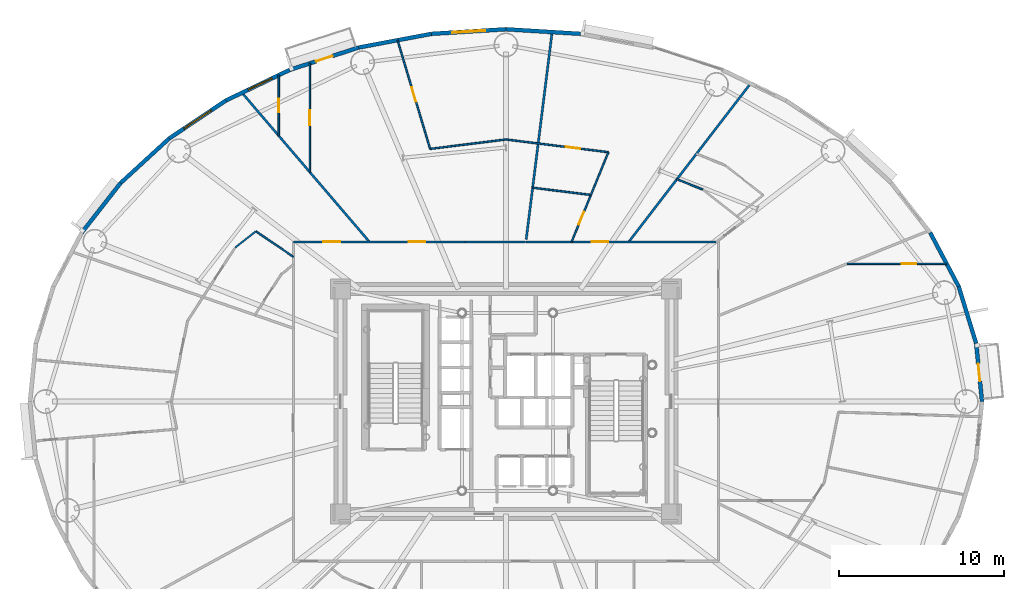
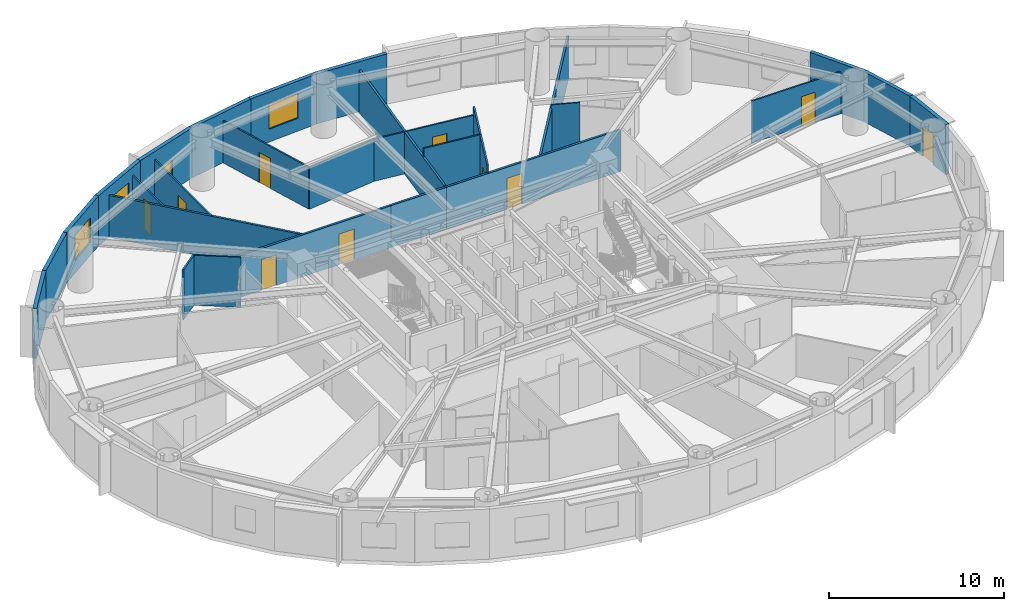
# One storey, part 13 of 21: 28 walls, 11 doors, 3 windows, 14 openings.
"""IFC4 building model written with IfcOpenShell, lengths in metres."""

from ifc_helpers import new_model, si_unit, direction, frame, frame_2d, origin, origin_2d, place, context, subcontext, project, spatial, rectangle, extrude, source, transform, mapped, material, layer, layer_set, type_object, element, fill, save


model = new_model("IFC4")

# Units and contexts
model_context = context("Model", 3, precision=1e-05, world=origin(), true_north=direction((0.0, 1.0)))
body_context = subcontext(model_context, "Body", "Model", "MODEL_VIEW")
ifc_project = project(units=[si_unit("LENGTHUNIT", "METRE"), si_unit("AREAUNIT", "SQUARE_METRE"), si_unit("VOLUMEUNIT", "CUBIC_METRE"), si_unit("PLANEANGLEUNIT", "RADIAN"), si_unit("MASSUNIT", "GRAM", prefix="KILO")], contexts=[model_context])

# Site, building, storey
site_placement = place(None, origin())
site = spatial("IfcSite", under=ifc_project, at=site_placement, CompositionType="ELEMENT")
building_placement = place(site_placement, origin())
building = spatial("IfcBuilding", under=site, at=building_placement, Name="Linh Dai School and Residence Tower", CompositionType="ELEMENT")
storey_placement = place(building_placement, frame((0.0, 0.0, 97.199951171875)))
storey = spatial("IfcBuildingStorey", under=building, at=storey_placement, Name="L22", CompositionType="ELEMENT", Elevation=97.199951171875)

# Wall, opening, door
ifc_material_1 = material(Name="Precast Concrete B45 (C35/45)", Category="concrete")
ifc_layer_1 = layer(ifc_material_1, 0.239990234375)
ifc_layer_set_1 = layer_set([ifc_layer_1], Name="Precast Concrete B45 (C35/45)")
wall_type_1 = type_object("IfcWallType", Name="EW-TC-240", PredefinedType="SOLIDWALL", material=ifc_layer_set_1)
wall_1_placement = place(storey_placement, frame((64.421630859375, 30.515380859375, 0.0), z_axis=(0.0, 0.0, 1.0), x_axis=(0.099989468229, -0.994988495533, 0.0)))
wall_1 = element("IfcWall", 1, at=wall_1_placement, inside=storey, type_object=wall_type_1, Name="L22 Terracotta Exterior Wall 01", PredefinedType="SOLIDWALL", context=body_context, shape_type="SweptSolid", body=[
    extrude(rectangle(XDim=3.533203125, YDim=0.239990234375, at=frame_2d((1.7666015625, 0.0))), origin(), (0.0, 0.0, 1.0), 3.5),
])
opening_1_placement = place(wall_1_placement, frame((1.241455078125, 0.0, 0.0)))
opening_1 = element("IfcOpeningElement", 2, at=opening_1_placement, cuts=wall_1, Name="Opening BD1", PredefinedType="OPENING", context=body_context, shape_type="SweptSolid", body=[
    extrude(rectangle(XDim=1.050048828125, YDim=2.14990234375, at=origin_2d()), frame((0.52490234375, 0.1298828125, 1.074951171875), z_axis=(0.0, -1.0, 0.0), x_axis=(1.0, 0.0, 0.0)), (0.0, 0.0, 1.0), 0.260009765625),
])
ifc_material_2 = material(Name="Double-Glazed Balcony Door", Category="glass")
door_type_1 = type_object("IfcDoorType", Name="DR-BALC-1050x2150", OperationType="NOTDEFINED", PredefinedType="DOOR", material=ifc_material_2)
shared_shape_1 = source(origin(), body_context, "Body", "SweptSolid", [
    extrude(rectangle(XDim=1.050048828125, YDim=2.14990234375, at=origin_2d()), frame((0.52490234375, 0.02490234375, 1.074951171875), z_axis=(0.0, -1.0, 0.0), x_axis=(1.0, 0.0, 0.0)), (0.0, 0.0, 1.0), 0.050048828125),
])
door_1_placement = place(opening_1_placement, origin())
door_1 = element("IfcDoor", 3, at=door_1_placement, inside=storey, type_object=door_type_1, Name="L22 Glazed Balcony Door 01", OperationType="SINGLE_SWING_RIGHT", OverallHeight=2.14990234375, OverallWidth=1.050048828125, PredefinedType="DOOR", context=body_context, shape_type="MappedRepresentation", body=[
    mapped(shared_shape_1, transform((0.0, 0.0, 0.0), x_axis=(1.0, 0.0, 0.0), y_axis=(0.0, 1.0, 0.0), z_axis=(0.0, 0.0, 1.0), scale=1.0)),
])
fill(opening_1, door_1)

# Walls
wall_2_placement = place(storey_placement, frame((63.3701171875, 33.945068359375, 0.0), z_axis=(0.0, 0.0, 1.0), x_axis=(0.293124431344, -0.956074300329, 0.0)))
element("IfcWall", 4, at=wall_2_placement, inside=storey, type_object=wall_type_1, Name="L22 Terracotta Exterior Wall 02", PredefinedType="SOLIDWALL", context=body_context, shape_type="SweptSolid", body=[
    extrude(rectangle(XDim=3.587158203125, YDim=0.239990234375, at=frame_2d((1.79345703125, 0.0))), origin(), (0.0, 0.0, 1.0), 3.5),
])
wall_3_placement = place(storey_placement, frame((61.645263671875, 37.20556640625, 0.0), z_axis=(0.0, 0.0, 1.0), x_axis=(0.467614004126, -0.883932770716, 0.0)))
element("IfcWall", 5, at=wall_3_placement, inside=storey, type_object=wall_type_1, Name="L22 Terracotta Exterior Wall 03", PredefinedType="SOLIDWALL", context=body_context, shape_type="SweptSolid", body=[
    extrude(rectangle(XDim=3.688720703125, YDim=0.239990234375, at=frame_2d((1.84423828125, 0.0))), origin(), (0.0, 0.0, 1.0), 3.5),
])
wall_4_placement = place(storey_placement, frame((36.0, 49.5048828125, 0.0), z_axis=(0.0, 0.0, 1.0), x_axis=(0.998107531589, -0.061492726276, 0.0)))
element("IfcWall", 6, at=wall_4_placement, inside=storey, type_object=wall_type_1, Name="L22 Terracotta Exterior Wall 10", PredefinedType="SOLIDWALL", context=body_context, shape_type="SweptSolid", body=[
    extrude(rectangle(XDim=4.51416015625, YDim=0.239990234375, at=frame_2d((2.257080078125, 0.0))), origin(), (0.0, 0.0, 1.0), 3.5),
])

# Wall, opening, window
wall_5_placement = place(storey_placement, frame((31.494384765625, 49.227294921875, 0.0), z_axis=(0.0, 0.0, 1.0), x_axis=(0.998107531589, 0.061492726276, 0.0)))
wall_5 = element("IfcWall", 7, at=wall_5_placement, inside=storey, type_object=wall_type_1, Name="L22 Terracotta Exterior Wall 11", PredefinedType="SOLIDWALL", context=body_context, shape_type="SweptSolid", body=[
    extrude(rectangle(XDim=4.51416015625, YDim=0.239990234375, at=frame_2d((2.257080078125, 0.0))), origin(), (0.0, 0.0, 1.0), 3.5),
])
opening_2_placement = place(wall_5_placement, frame((1.257080078125, 0.0, 0.89990234375)))
opening_2 = element("IfcOpeningElement", 8, at=opening_2_placement, cuts=wall_5, Name="Opening W1", PredefinedType="OPENING", context=body_context, shape_type="SweptSolid", body=[
    extrude(rectangle(XDim=2.0, YDim=1.75, at=origin_2d()), frame((1.0, 0.1298828125, 0.875), z_axis=(0.0, -1.0, 0.0), x_axis=(1.0, 0.0, 0.0)), (0.0, 0.0, 1.0), 0.260009765625),
])
ifc_material_3 = material(Name="Double Low-E Insulated Glazing", Category="glass")
window_type_1 = type_object("IfcWindowType", Name="WN-RES-2000x1750", PartitioningType="DOUBLE_PANEL_VERTICAL", PredefinedType="WINDOW", material=ifc_material_3)
shared_shape_2 = source(origin(), body_context, "Body", "SweptSolid", [
    extrude(rectangle(XDim=2.0, YDim=1.75, at=origin_2d()), frame((1.0, 0.030029296875, 0.875), z_axis=(0.0, -1.0, 0.0), x_axis=(1.0, 0.0, 0.0)), (0.0, 0.0, 1.0), 0.06005859375),
])
window_1_placement = place(opening_2_placement, origin())
window_1 = element("IfcWindow", 9, at=window_1_placement, inside=storey, type_object=window_type_1, Name="L22 Exterior Window 11.1", OverallHeight=1.75, OverallWidth=2.0, PartitioningType="DOUBLE_PANEL_VERTICAL", PredefinedType="WINDOW", context=body_context, shape_type="MappedRepresentation", body=[
    mapped(shared_shape_2, transform((0.0, 0.0, 0.0), x_axis=(1.0, 0.0, 0.0), y_axis=(0.0, 1.0, 0.0), z_axis=(0.0, 0.0, 1.0), scale=1.0)),
])
fill(opening_2, window_1)

# Wall
wall_6_placement = place(storey_placement, frame((27.100341796875, 48.4013671875, 0.0), z_axis=(0.0, 0.0, 1.0), x_axis=(0.982789252177, 0.184730305596, 0.0)))
element("IfcWall", 10, at=wall_6_placement, inside=storey, type_object=wall_type_1, Name="L22 Terracotta Exterior Wall 12", PredefinedType="SOLIDWALL", context=body_context, shape_type="SweptSolid", body=[
    extrude(rectangle(XDim=4.470947265625, YDim=0.239990234375, at=frame_2d((2.2353515625, 0.0))), origin(), (0.0, 0.0, 1.0), 3.5),
])

# Wall, opening, door
wall_7_placement = place(storey_placement, frame((22.926025390625, 47.04736328125, 0.0), z_axis=(0.0, 0.0, 1.0), x_axis=(0.951211346073, 0.308540070495, 0.0)))
wall_7 = element("IfcWall", 11, at=wall_7_placement, inside=storey, type_object=wall_type_1, Name="L22 Terracotta Exterior Wall 13", PredefinedType="SOLIDWALL", context=body_context, shape_type="SweptSolid", body=[
    extrude(rectangle(XDim=4.388427734375, YDim=0.239990234375, at=frame_2d((2.1943359375, 0.0))), origin(), (0.0, 0.0, 1.0), 3.5),
])
opening_3_placement = place(wall_7_placement, frame((1.669189453125, 0.0, 0.0)))
opening_3 = element("IfcOpeningElement", 12, at=opening_3_placement, cuts=wall_7, Name="Opening BD1", PredefinedType="OPENING", context=body_context, shape_type="SweptSolid", body=[
    extrude(rectangle(XDim=1.050048828125, YDim=2.14990234375, at=origin_2d()), frame((0.52490234375, 0.1298828125, 1.074951171875), z_axis=(0.0, -1.0, 0.0), x_axis=(1.0, 0.0, 0.0)), (0.0, 0.0, 1.0), 0.260009765625),
])
door_2_placement = place(opening_3_placement, origin())
door_2 = element("IfcDoor", 13, at=door_2_placement, inside=storey, type_object=door_type_1, Name="L22 Glazed Balcony Door 13", OperationType="SINGLE_SWING_LEFT", OverallHeight=2.14990234375, OverallWidth=1.050048828125, PredefinedType="DOOR", context=body_context, shape_type="MappedRepresentation", body=[
    mapped(shared_shape_1, transform((0.0, 0.0, 0.0), x_axis=(1.0, 0.0, 0.0), y_axis=(0.0, 1.0, 0.0), z_axis=(0.0, 0.0, 1.0), scale=1.0)),
])
fill(opening_3, door_2)

# Wall, opening, window
wall_8_placement = place(storey_placement, frame((19.07470703125, 45.199462890625, 0.0), z_axis=(0.0, 0.0, 1.0), x_axis=(0.901589935876, 0.432591709962, 0.0)))
wall_8 = element("IfcWall", 14, at=wall_8_placement, inside=storey, type_object=wall_type_1, Name="L22 Terracotta Exterior Wall 14", PredefinedType="SOLIDWALL", context=body_context, shape_type="SweptSolid", body=[
    extrude(rectangle(XDim=4.271728515625, YDim=0.239990234375, at=frame_2d((2.1357421875, 0.0))), origin(), (0.0, 0.0, 1.0), 3.5),
])
opening_4_placement = place(wall_8_placement, frame((1.492919921875, 0.0, 0.89990234375)))
opening_4 = element("IfcOpeningElement", 15, at=opening_4_placement, cuts=wall_8, Name="Opening W2", PredefinedType="OPENING", context=body_context, shape_type="SweptSolid", body=[
    extrude(rectangle(XDim=1.60009765625, YDim=1.75, at=origin_2d()), frame((0.800048828125, 0.1298828125, 0.875), z_axis=(0.0, -1.0, 0.0), x_axis=(1.0, 0.0, 0.0)), (0.0, 0.0, 1.0), 0.260009765625),
])
window_type_2 = type_object("IfcWindowType", Name="WN-RES-1600x1750", PartitioningType="DOUBLE_PANEL_VERTICAL", PredefinedType="WINDOW", material=ifc_material_3)
shared_shape_3 = source(origin(), body_context, "Body", "SweptSolid", [
    extrude(rectangle(XDim=1.60009765625, YDim=1.75, at=origin_2d()), frame((0.800048828125, 0.030029296875, 0.875), z_axis=(0.0, -1.0, 0.0), x_axis=(1.0, 0.0, 0.0)), (0.0, 0.0, 1.0), 0.06005859375),
])
window_2_placement = place(opening_4_placement, origin())
window_2 = element("IfcWindow", 16, at=window_2_placement, inside=storey, type_object=window_type_2, Name="L22 Exterior Window 14.1", OverallHeight=1.75, OverallWidth=1.60009765625, PartitioningType="DOUBLE_PANEL_VERTICAL", PredefinedType="WINDOW", context=body_context, shape_type="MappedRepresentation", body=[
    mapped(shared_shape_3, transform((0.0, 0.0, 0.0), x_axis=(1.0, 0.0, 0.0), y_axis=(0.0, 1.0, 0.0), z_axis=(0.0, 0.0, 1.0), scale=1.0)),
])
fill(opening_4, window_2)

wall_9_placement = place(storey_placement, frame((15.6416015625, 42.9033203125, 0.0), z_axis=(0.0, 0.0, 1.0), x_axis=(0.831221811447, 0.555940914284, 0.0)))
wall_9 = element("IfcWall", 17, at=wall_9_placement, inside=storey, type_object=wall_type_1, Name="L22 Terracotta Exterior Wall 15", PredefinedType="SOLIDWALL", context=body_context, shape_type="SweptSolid", body=[
    extrude(rectangle(XDim=4.130126953125, YDim=0.239990234375, at=frame_2d((2.06494140625, 0.0))), origin(), (0.0, 0.0, 1.0), 3.5),
])
opening_5_placement = place(wall_9_placement, frame((1.065185546875, 0.0, 0.89990234375)))
opening_5 = element("IfcOpeningElement", 18, at=opening_5_placement, cuts=wall_9, Name="Opening W1", PredefinedType="OPENING", context=body_context, shape_type="SweptSolid", body=[
    extrude(rectangle(XDim=2.0, YDim=1.75, at=origin_2d()), frame((1.0, 0.1298828125, 0.875), z_axis=(0.0, -1.0, 0.0), x_axis=(1.0, 0.0, 0.0)), (0.0, 0.0, 1.0), 0.260009765625),
])
window_3_placement = place(opening_5_placement, origin())
window_3 = element("IfcWindow", 19, at=window_3_placement, inside=storey, type_object=window_type_1, Name="L22 Exterior Window 15.1", OverallHeight=1.75, OverallWidth=2.0, PartitioningType="DOUBLE_PANEL_VERTICAL", PredefinedType="WINDOW", context=body_context, shape_type="MappedRepresentation", body=[
    mapped(shared_shape_2, transform((0.0, 0.0, 0.0), x_axis=(1.0, 0.0, 0.0), y_axis=(0.0, 1.0, 0.0), z_axis=(0.0, 0.0, 1.0), scale=1.0)),
])
fill(opening_5, window_3)

# Walls
wall_10_placement = place(storey_placement, frame((12.7109375, 40.216552734375, 0.0), z_axis=(0.0, 0.0, 1.0), x_axis=(0.737113356241, 0.675769117414, 0.0)))
element("IfcWall", 20, at=wall_10_placement, inside=storey, type_object=wall_type_1, Name="L22 Terracotta Exterior Wall 16", PredefinedType="SOLIDWALL", context=body_context, shape_type="SweptSolid", body=[
    extrude(rectangle(XDim=3.975830078125, YDim=0.239990234375, at=frame_2d((1.98779296875, 0.0))), origin(), (0.0, 0.0, 1.0), 3.5),
])
wall_11_placement = place(storey_placement, frame((10.354736328125, 37.20556640625, 0.0), z_axis=(0.0, 0.0, 1.0), x_axis=(0.616272103517, 0.787533297345, 0.0)))
element("IfcWall", 21, at=wall_11_placement, inside=storey, type_object=wall_type_1, Name="L22 Terracotta Exterior Wall 17", PredefinedType="SOLIDWALL", context=body_context, shape_type="SweptSolid", body=[
    extrude(rectangle(XDim=3.8232421875, YDim=0.239990234375, at=frame_2d((1.91162109375, 0.0))), origin(), (0.0, 0.0, 1.0), 3.5),
])
ifc_material_4 = material(Name="Autoclaved Aerated Concrete Blockwork", Category="masonry")
ifc_layer_2 = layer(ifc_material_4, 0.135009765625)
ifc_layer_set_2 = layer_set([ifc_layer_2], Name="Autoclaved Aerated Concrete Blockwork")
wall_type_2 = type_object("IfcWallType", Name="IW-CORR-135-EI90", PredefinedType="PARTITIONING", material=ifc_layer_set_2)
wall_12_placement = place(storey_placement, frame((20.03955078125, 45.66796875, 0.0), z_axis=(0.0, 0.0, 1.0), x_axis=(0.649828321201, -0.760081017369, 0.0)))
element("IfcWall", 22, at=wall_12_placement, inside=storey, type_object=wall_type_2, Name="L22 Interior Partition Wall 011", PredefinedType="PARTITIONING", context=body_context, shape_type="SweptSolid", body=[
    extrude(rectangle(XDim=11.864501953125, YDim=0.135009765625, at=frame_2d((5.93212890625, 0.0))), origin(), (0.0, 0.0, 1.0), 2.93505859375),
])

# Wall, openings, doors
wall_13_placement = place(storey_placement, frame((23.14990234375, 36.64990234375, 0.0), z_axis=(0.0, 0.0, 1.0), x_axis=(1.0, 0.0, 0.0)))
wall_13 = element("IfcWall", 23, at=wall_13_placement, inside=storey, type_object=wall_type_2, Name="L22 Interior Partition Wall 018", PredefinedType="PARTITIONING", context=body_context, shape_type="SweptSolid", body=[
    extrude(rectangle(XDim=10.373046875, YDim=0.135009765625, at=frame_2d((5.1865234375, 0.0))), origin(), (0.0, 0.0, 1.0), 2.93505859375),
])
opening_6_placement = place(wall_13_placement, frame((6.96630859375, 0.0, 0.0)))
opening_6 = element("IfcOpeningElement", 24, at=opening_6_placement, cuts=wall_13, Name="Opening D03", PredefinedType="OPENING", context=body_context, shape_type="SweptSolid", body=[
    extrude(rectangle(XDim=1.0, YDim=2.14990234375, at=origin_2d()), frame((0.5, 0.07763671875, 1.074951171875), z_axis=(0.0, -1.0, 0.0), x_axis=(1.0, 0.0, 0.0)), (0.0, 0.0, 1.0), 0.155029296875),
])
opening_7_placement = place(wall_13_placement, frame((1.81982421875, 0.0, 0.0)))
opening_7 = element("IfcOpeningElement", 25, at=opening_7_placement, cuts=wall_13, Name="Opening D03", PredefinedType="OPENING", context=body_context, shape_type="SweptSolid", body=[
    extrude(rectangle(XDim=1.0, YDim=2.14990234375, at=origin_2d()), frame((0.5, 0.07763671875, 1.074951171875), z_axis=(0.0, -1.0, 0.0), x_axis=(1.0, 0.0, 0.0)), (0.0, 0.0, 1.0), 0.155029296875),
])
ifc_material_5 = material(Name="Fire-Rated Solid Timber Entrance Door", Category="wood")
door_type_2 = type_object("IfcDoorType", Name="DR-FLAT-1000x2150-FD60S", OperationType="NOTDEFINED", PredefinedType="DOOR", material=ifc_material_5)
shared_shape_4 = source(origin(), body_context, "Body", "SweptSolid", [
    extrude(rectangle(XDim=1.0, YDim=2.14990234375, at=origin_2d()), frame((0.5, 0.02490234375, 1.074951171875), z_axis=(0.0, -1.0, 0.0), x_axis=(1.0, 0.0, 0.0)), (0.0, 0.0, 1.0), 0.050048828125),
])
door_3_placement = place(opening_6_placement, origin())
door_3 = element("IfcDoor", 26, at=door_3_placement, inside=storey, type_object=door_type_2, Name="L22 U2203 Apartment Entrance Door", OperationType="SINGLE_SWING_LEFT", OverallHeight=2.14990234375, OverallWidth=1.0, PredefinedType="DOOR", context=body_context, shape_type="MappedRepresentation", body=[
    mapped(shared_shape_4, transform((0.0, 0.0, 0.0), x_axis=(1.0, 0.0, 0.0), y_axis=(0.0, 1.0, 0.0), z_axis=(0.0, 0.0, 1.0), scale=1.0)),
])
fill(opening_6, door_3)
door_4_placement = place(opening_7_placement, origin())
door_4 = element("IfcDoor", 27, at=door_4_placement, inside=storey, type_object=door_type_2, Name="L22 U2204 Apartment Entrance Door", OperationType="SINGLE_SWING_LEFT", OverallHeight=2.14990234375, OverallWidth=1.0, PredefinedType="DOOR", context=body_context, shape_type="MappedRepresentation", body=[
    mapped(shared_shape_4, transform((0.0, 0.0, 0.0), x_axis=(1.0, 0.0, 0.0), y_axis=(0.0, 1.0, 0.0), z_axis=(0.0, 0.0, 1.0), scale=1.0)),
])
fill(opening_7, door_4)

# Wall, opening, door
wall_14_placement = place(storey_placement, frame((37.205078125, 36.64990234375, 0.0), z_axis=(0.0, 0.0, 1.0), x_axis=(1.0, 0.0, 0.0)))
wall_14 = element("IfcWall", 28, at=wall_14_placement, inside=storey, type_object=wall_type_2, Name="L22 Interior Partition Wall 058", PredefinedType="PARTITIONING", context=body_context, shape_type="SweptSolid", body=[
    extrude(rectangle(XDim=11.498779296875, YDim=0.135009765625, at=frame_2d((5.74951171875, 0.0))), origin(), (0.0, 0.0, 1.0), 2.93505859375),
])
opening_8_placement = place(wall_14_placement, frame((3.98779296875, 0.0, 0.0)))
opening_8 = element("IfcOpeningElement", 29, at=opening_8_placement, cuts=wall_14, Name="Opening D03", PredefinedType="OPENING", context=body_context, shape_type="SweptSolid", body=[
    extrude(rectangle(XDim=1.0, YDim=2.14990234375, at=origin_2d()), frame((0.5, 0.07763671875, 1.074951171875), z_axis=(0.0, -1.0, 0.0), x_axis=(1.0, 0.0, 0.0)), (0.0, 0.0, 1.0), 0.155029296875),
])
door_5_placement = place(opening_8_placement, origin())
door_5 = element("IfcDoor", 30, at=door_5_placement, inside=storey, type_object=door_type_2, Name="L22 U2202 Apartment Entrance Door", OperationType="SINGLE_SWING_RIGHT", OverallHeight=2.14990234375, OverallWidth=1.0, PredefinedType="DOOR", context=body_context, shape_type="MappedRepresentation", body=[
    mapped(shared_shape_4, transform((0.0, 0.0, 0.0), x_axis=(1.0, 0.0, 0.0), y_axis=(0.0, 1.0, 0.0), z_axis=(0.0, 0.0, 1.0), scale=1.0)),
])
fill(opening_8, door_5)

# Walls
wall_15_placement = place(storey_placement, frame((37.224365234375, 36.805419921875, 0.0), z_axis=(0.0, 0.0, 1.0), x_axis=(0.123906262398, 0.992293927291, 0.0)))
element("IfcWall", 31, at=wall_15_placement, inside=storey, type_object=wall_type_2, Name="L22 Interior Partition Wall 059", PredefinedType="PARTITIONING", context=body_context, shape_type="SweptSolid", body=[
    extrude(rectangle(XDim=12.630126953125, YDim=0.135009765625, at=frame_2d((6.31494140625, 0.0))), origin(), (0.0, 0.0, 1.0), 2.93505859375),
])
wall_16_placement = place(storey_placement, frame((43.42041015625, 36.64990234375, 0.0), z_axis=(0.0, 0.0, 1.0), x_axis=(0.609572126114, 0.792730611913, 0.0)))
element("IfcWall", 32, at=wall_16_placement, inside=storey, type_object=wall_type_2, Name="L22 Interior Partition Wall 077", PredefinedType="PARTITIONING", context=body_context, shape_type="SweptSolid", body=[
    extrude(rectangle(XDim=12.0859375, YDim=0.135009765625, at=frame_2d((6.04296875, 0.0))), origin(), (0.0, 0.0, 1.0), 2.93505859375),
])
wall_17_placement = place(storey_placement, frame((33.532958984375, 36.64990234375, 0.0), z_axis=(0.0, 0.0, 1.0), x_axis=(1.0, 0.0, 0.0)))
element("IfcWall", 33, at=wall_17_placement, inside=storey, type_object=wall_type_2, Name="L22 Interior Partition Wall 107", PredefinedType="PARTITIONING", context=body_context, shape_type="SweptSolid", body=[
    extrude(rectangle(XDim=3.662109375, YDim=0.135009765625, at=frame_2d((1.8310546875, 0.0))), origin(), (0.0, 0.0, 1.0), 2.93505859375),
])
ifc_material_6 = material(Name="Gypsum Plasterboard Acoustic Stud Partition", Category="masonry")
ifc_layer_3 = layer(ifc_material_6, 0.10009765625)
ifc_layer_set_3 = layer_set([ifc_layer_3], Name="Gypsum Plasterboard Acoustic Stud Partition")
wall_type_3 = type_object("IfcWallType", Name="IW-UNIT-100", PredefinedType="PARTITIONING", material=ifc_layer_set_3)
wall_18_placement = place(storey_placement, frame((19.633544921875, 36.31103515625, 0.0), z_axis=(0.0, 0.0, 1.0), x_axis=(0.787313775385, 0.616552527437, 0.0)))
element("IfcWall", 34, at=wall_18_placement, inside=storey, type_object=wall_type_3, Name="L22 Interior Partition Wall 010", PredefinedType="PARTITIONING", context=body_context, shape_type="SweptSolid", body=[
    extrude(rectangle(XDim=1.58984375, YDim=0.10009765625, at=frame_2d((0.794921875, 0.0))), origin(), (0.0, 0.0, 1.0), 3.5),
])
wall_19_placement = place(storey_placement, frame((20.88525390625, 37.291259765625, 0.0), z_axis=(0.0, 0.0, 1.0), x_axis=(0.826581607155, -0.562816885596, 0.0)))
element("IfcWall", 35, at=wall_19_placement, inside=storey, type_object=wall_type_3, Name="L22 Interior Partition Wall 013", PredefinedType="PARTITIONING", context=body_context, shape_type="SweptSolid", body=[
    extrude(rectangle(XDim=2.73974609375, YDim=0.10009765625, at=frame_2d((1.369873046875, 0.0))), origin(), (0.0, 0.0, 1.0), 3.5),
])

# Wall, opening, door
wall_20_placement = place(storey_placement, frame((22.265380859375, 43.064453125, 0.0), z_axis=(0.0, 0.0, 1.0), x_axis=(0.0, 1.0, 0.0)))
wall_20 = element("IfcWall", 36, at=wall_20_placement, inside=storey, type_object=wall_type_3, Name="L22 Interior Partition Wall 014", PredefinedType="PARTITIONING", context=body_context, shape_type="SweptSolid", body=[
    extrude(rectangle(XDim=3.67138671875, YDim=0.10009765625, at=frame_2d((1.835693359375, 0.0))), origin(), (0.0, 0.0, 1.0), 2.93505859375),
])
opening_9_placement = place(wall_20_placement, frame((1.42578125, 0.0, 0.0)))
opening_9 = element("IfcOpeningElement", 37, at=opening_9_placement, cuts=wall_20, Name="Opening D06", PredefinedType="OPENING", context=body_context, shape_type="SweptSolid", body=[
    extrude(rectangle(XDim=0.820068359375, YDim=2.10009765625, at=origin_2d()), frame((0.41015625, 0.06005859375, 1.050048828125), z_axis=(0.0, -1.0, 0.0), x_axis=(1.0, 0.0, 0.0)), (0.0, 0.0, 1.0), 0.1201171875),
])
ifc_material_7 = material(Name="Moisture-Resistant Timber Bathroom Door", Category="wood")
door_type_3 = type_object("IfcDoorType", Name="DR-WET-820x2100", OperationType="NOTDEFINED", PredefinedType="DOOR", material=ifc_material_7)
shared_shape_5 = source(origin(), body_context, "Body", "SweptSolid", [
    extrude(rectangle(XDim=0.820068359375, YDim=2.10009765625, at=origin_2d()), frame((0.41015625, 0.02490234375, 1.050048828125), z_axis=(0.0, -1.0, 0.0), x_axis=(1.0, 0.0, 0.0)), (0.0, 0.0, 1.0), 0.050048828125),
])
door_6_placement = place(opening_9_placement, origin())
door_6 = element("IfcDoor", 38, at=door_6_placement, inside=storey, type_object=door_type_3, Name="L22 Apartment U2203 Bathroom 1 Door", OperationType="SINGLE_SWING_RIGHT", OverallHeight=2.10009765625, OverallWidth=0.820068359375, PredefinedType="DOOR", context=body_context, shape_type="MappedRepresentation", body=[
    mapped(shared_shape_5, transform((0.0, 0.0, 0.0), x_axis=(1.0, 0.0, 0.0), y_axis=(0.0, 1.0, 0.0), z_axis=(0.0, 0.0, 1.0), scale=1.0)),
])
fill(opening_9, door_6)

wall_21_placement = place(storey_placement, frame((24.147216796875, 40.863525390625, 0.0), z_axis=(0.0, 0.0, 1.0), x_axis=(0.0, 1.0, 0.0)))
wall_21 = element("IfcWall", 39, at=wall_21_placement, inside=storey, type_object=wall_type_3, Name="L22 Interior Partition Wall 023", PredefinedType="PARTITIONING", context=body_context, shape_type="SweptSolid", body=[
    extrude(rectangle(XDim=6.585205078125, YDim=0.10009765625, at=frame_2d((3.29248046875, 0.0))), origin(), (0.0, 0.0, 1.0), 2.93505859375),
])
opening_10_placement = place(wall_21_placement, frame((2.8427734375, 0.0, 0.0)))
opening_10 = element("IfcOpeningElement", 40, at=opening_10_placement, cuts=wall_21, Name="Opening D05", PredefinedType="OPENING", context=body_context, shape_type="SweptSolid", body=[
    extrude(rectangle(XDim=0.89990234375, YDim=2.10009765625, at=origin_2d()), frame((0.449951171875, 0.06005859375, 1.050048828125), z_axis=(0.0, -1.0, 0.0), x_axis=(1.0, 0.0, 0.0)), (0.0, 0.0, 1.0), 0.1201171875),
])
ifc_material_8 = material(Name="Engineered Timber Internal Door", Category="wood")
door_type_4 = type_object("IfcDoorType", Name="DR-INT-900x2100", OperationType="NOTDEFINED", PredefinedType="DOOR", material=ifc_material_8)
shared_shape_6 = source(origin(), body_context, "Body", "SweptSolid", [
    extrude(rectangle(XDim=0.89990234375, YDim=2.10009765625, at=origin_2d()), frame((0.449951171875, 0.02490234375, 1.050048828125), z_axis=(0.0, -1.0, 0.0), x_axis=(1.0, 0.0, 0.0)), (0.0, 0.0, 1.0), 0.050048828125),
])
door_7_placement = place(opening_10_placement, origin())
door_7 = element("IfcDoor", 41, at=door_7_placement, inside=storey, type_object=door_type_4, Name="L22 Apartment U2203 Kitchen Door", OperationType="SINGLE_SWING_LEFT", OverallHeight=2.10009765625, OverallWidth=0.89990234375, PredefinedType="DOOR", context=body_context, shape_type="MappedRepresentation", body=[
    mapped(shared_shape_6, transform((0.0, 0.0, 0.0), x_axis=(1.0, 0.0, 0.0), y_axis=(0.0, 1.0, 0.0), z_axis=(0.0, 0.0, 1.0), scale=1.0)),
])
fill(opening_10, door_7)

wall_22_placement = place(storey_placement, frame((29.443115234375, 48.8466796875, 0.0), z_axis=(0.0, 0.0, 1.0), x_axis=(0.287465357653, -0.957791035743, 0.0)))
wall_22 = element("IfcWall", 42, at=wall_22_placement, inside=storey, type_object=wall_type_3, Name="L22 Interior Partition Wall 028", PredefinedType="PARTITIONING", context=body_context, shape_type="SweptSolid", body=[
    extrude(rectangle(XDim=6.864013671875, YDim=0.10009765625, at=frame_2d((3.43212890625, 0.0))), origin(), (0.0, 0.0, 1.0), 2.93505859375),
])
opening_11_placement = place(wall_22_placement, frame((2.98193359375, 0.0, 0.0)))
opening_11 = element("IfcOpeningElement", 43, at=opening_11_placement, cuts=wall_22, Name="Opening D05", PredefinedType="OPENING", context=body_context, shape_type="SweptSolid", body=[
    extrude(rectangle(XDim=0.89990234375, YDim=2.10009765625, at=origin_2d()), frame((0.449951171875, 0.06005859375, 1.050048828125), z_axis=(0.0, -1.0, 0.0), x_axis=(1.0, 0.0, 0.0)), (0.0, 0.0, 1.0), 0.1201171875),
])
door_8_placement = place(opening_11_placement, origin())
door_8 = element("IfcDoor", 44, at=door_8_placement, inside=storey, type_object=door_type_4, Name="L22 Apartment U2203 Principal Bedroom 1 Door", OperationType="SINGLE_SWING_RIGHT", OverallHeight=2.10009765625, OverallWidth=0.89990234375, PredefinedType="DOOR", context=body_context, shape_type="MappedRepresentation", body=[
    mapped(shared_shape_6, transform((0.0, 0.0, 0.0), x_axis=(1.0, 0.0, 0.0), y_axis=(0.0, 1.0, 0.0), z_axis=(0.0, 0.0, 1.0), scale=1.0)),
])
fill(opening_11, door_8)

# Wall
wall_23_placement = place(storey_placement, frame((31.416259765625, 42.2724609375, 0.0), z_axis=(0.0, 0.0, 1.0), x_axis=(0.992393726446, 0.12310439355, 0.0)))
element("IfcWall", 45, at=wall_23_placement, inside=storey, type_object=wall_type_3, Name="L22 Interior Partition Wall 032", PredefinedType="PARTITIONING", context=body_context, shape_type="SweptSolid", body=[
    extrude(rectangle(XDim=4.618896484375, YDim=0.10009765625, at=frame_2d((2.3095703125, 0.0))), origin(), (0.0, 0.0, 1.0), 2.93505859375),
])

# Wall, opening, door
wall_24_placement = place(storey_placement, frame((36.0, 42.841064453125, 0.0), z_axis=(0.0, 0.0, 1.0), x_axis=(0.992393593066, -0.123105468776, 0.0)))
wall_24 = element("IfcWall", 46, at=wall_24_placement, inside=storey, type_object=wall_type_3, Name="L22 Interior Partition Wall 055", PredefinedType="PARTITIONING", context=body_context, shape_type="SweptSolid", body=[
    extrude(rectangle(XDim=6.240966796875, YDim=0.10009765625, at=frame_2d((3.12060546875, 0.0))), origin(), (0.0, 0.0, 1.0), 2.93505859375),
])
opening_12_placement = place(wall_24_placement, frame((3.6318359375, 0.0, 0.0)))
opening_12 = element("IfcOpeningElement", 47, at=opening_12_placement, cuts=wall_24, Name="Opening D05", PredefinedType="OPENING", context=body_context, shape_type="SweptSolid", body=[
    extrude(rectangle(XDim=0.89990234375, YDim=2.10009765625, at=origin_2d()), frame((0.449951171875, 0.06005859375, 1.050048828125), z_axis=(0.0, -1.0, 0.0), x_axis=(1.0, 0.0, 0.0)), (0.0, 0.0, 1.0), 0.1201171875),
])
door_9_placement = place(opening_12_placement, origin())
door_9 = element("IfcDoor", 48, at=door_9_placement, inside=storey, type_object=door_type_4, Name="L22 Apartment U2202 Kitchen Door", OperationType="SINGLE_SWING_RIGHT", OverallHeight=2.10009765625, OverallWidth=0.89990234375, PredefinedType="DOOR", context=body_context, shape_type="MappedRepresentation", body=[
    mapped(shared_shape_6, transform((0.0, 0.0, 0.0), x_axis=(1.0, 0.0, 0.0), y_axis=(0.0, 1.0, 0.0), z_axis=(0.0, 0.0, 1.0), scale=1.0)),
])
fill(opening_12, door_9)

# Wall
wall_25_placement = place(storey_placement, frame((37.614013671875, 39.92529296875, 0.0), z_axis=(0.0, 0.0, 1.0), x_axis=(0.992397148182, -0.123076806427, 0.0)))
element("IfcWall", 49, at=wall_25_placement, inside=storey, type_object=wall_type_3, Name="L22 Interior Partition Wall 060", PredefinedType="PARTITIONING", context=body_context, shape_type="SweptSolid", body=[
    extrude(rectangle(XDim=3.544677734375, YDim=0.10009765625, at=frame_2d((1.7724609375, 0.0))), origin(), (0.0, 0.0, 1.0), 3.5),
])

# Wall, opening, door
wall_26_placement = place(storey_placement, frame((39.96533203125, 36.64990234375, 0.0), z_axis=(0.0, 0.0, 1.0), x_axis=(0.380069011115, 0.924958132452, 0.0)))
wall_26 = element("IfcWall", 50, at=wall_26_placement, inside=storey, type_object=wall_type_3, Name="L22 Interior Partition Wall 068", PredefinedType="PARTITIONING", context=body_context, shape_type="SweptSolid", body=[
    extrude(rectangle(XDim=5.86279296875, YDim=0.10009765625, at=frame_2d((2.931396484375, 0.0))), origin(), (0.0, 0.0, 1.0), 3.5),
])
opening_13_placement = place(wall_26_placement, frame((1.14453125, 0.0, 0.0)))
opening_13 = element("IfcOpeningElement", 51, at=opening_13_placement, cuts=wall_26, Name="Opening D06", PredefinedType="OPENING", context=body_context, shape_type="SweptSolid", body=[
    extrude(rectangle(XDim=0.820068359375, YDim=2.10009765625, at=origin_2d()), frame((0.41015625, 0.06005859375, 1.050048828125), z_axis=(0.0, -1.0, 0.0), x_axis=(1.0, 0.0, 0.0)), (0.0, 0.0, 1.0), 0.1201171875),
])
door_10_placement = place(opening_13_placement, origin())
door_10 = element("IfcDoor", 52, at=door_10_placement, inside=storey, type_object=door_type_3, Name="L22 Apartment U2202 Bathroom Door", OperationType="SINGLE_SWING_LEFT", OverallHeight=2.10009765625, OverallWidth=0.820068359375, PredefinedType="DOOR", context=body_context, shape_type="MappedRepresentation", body=[
    mapped(shared_shape_5, transform((0.0, 0.0, 0.0), x_axis=(1.0, 0.0, 0.0), y_axis=(0.0, 1.0, 0.0), z_axis=(0.0, 0.0, 1.0), scale=1.0)),
])
fill(opening_13, door_10)

# Wall
wall_27_placement = place(storey_placement, frame((46.332763671875, 40.437255859375, 0.0), z_axis=(0.0, 0.0, 1.0), x_axis=(0.928817558248, -0.370537371247, 0.0)))
element("IfcWall", 53, at=wall_27_placement, inside=storey, type_object=wall_type_3, Name="L22 Interior Partition Wall 080", PredefinedType="PARTITIONING", context=body_context, shape_type="SweptSolid", body=[
    extrude(rectangle(XDim=1.677490234375, YDim=0.10009765625, at=frame_2d((0.8388671875, 0.0))), origin(), (0.0, 0.0, 1.0), 3.18505859375),
])

# Wall, opening, door
wall_28_placement = place(storey_placement, frame((56.61474609375, 35.323974609375, 0.0), z_axis=(0.0, 0.0, 1.0), x_axis=(1.0, 0.0, 0.0)))
wall_28 = element("IfcWall", 54, at=wall_28_placement, inside=storey, type_object=wall_type_3, Name="L22 Interior Partition Wall 096", PredefinedType="PARTITIONING", context=body_context, shape_type="SweptSolid", body=[
    extrude(rectangle(XDim=6.031494140625, YDim=0.10009765625, at=frame_2d((3.015625, 0.0))), origin(), (0.0, 0.0, 1.0), 2.93505859375),
])
opening_14_placement = place(wall_28_placement, frame((3.299560546875, 0.0, 0.0)))
opening_14 = element("IfcOpeningElement", 55, at=opening_14_placement, cuts=wall_28, Name="Opening D05", PredefinedType="OPENING", context=body_context, shape_type="SweptSolid", body=[
    extrude(rectangle(XDim=0.89990234375, YDim=2.10009765625, at=origin_2d()), frame((0.449951171875, 0.06005859375, 1.050048828125), z_axis=(0.0, -1.0, 0.0), x_axis=(1.0, 0.0, 0.0)), (0.0, 0.0, 1.0), 0.1201171875),
])
door_11_placement = place(opening_14_placement, origin())
door_11 = element("IfcDoor", 56, at=door_11_placement, inside=storey, type_object=door_type_4, Name="L22 Apartment U2209 Kitchen Door", OperationType="SINGLE_SWING_RIGHT", OverallHeight=2.10009765625, OverallWidth=0.89990234375, PredefinedType="DOOR", context=body_context, shape_type="MappedRepresentation", body=[
    mapped(shared_shape_6, transform((0.0, 0.0, 0.0), x_axis=(1.0, 0.0, 0.0), y_axis=(0.0, 1.0, 0.0), z_axis=(0.0, 0.0, 1.0), scale=1.0)),
])
fill(opening_14, door_11)

save(model, "model.ifc")
